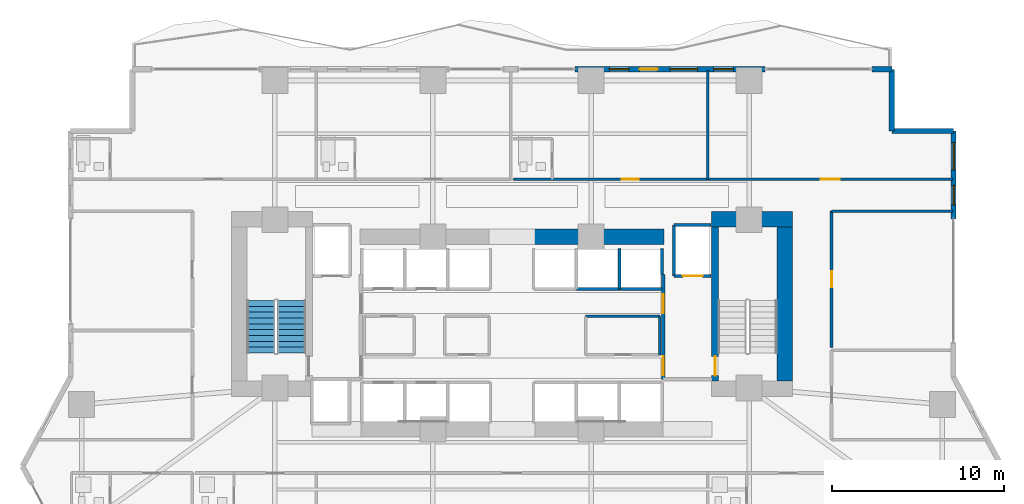
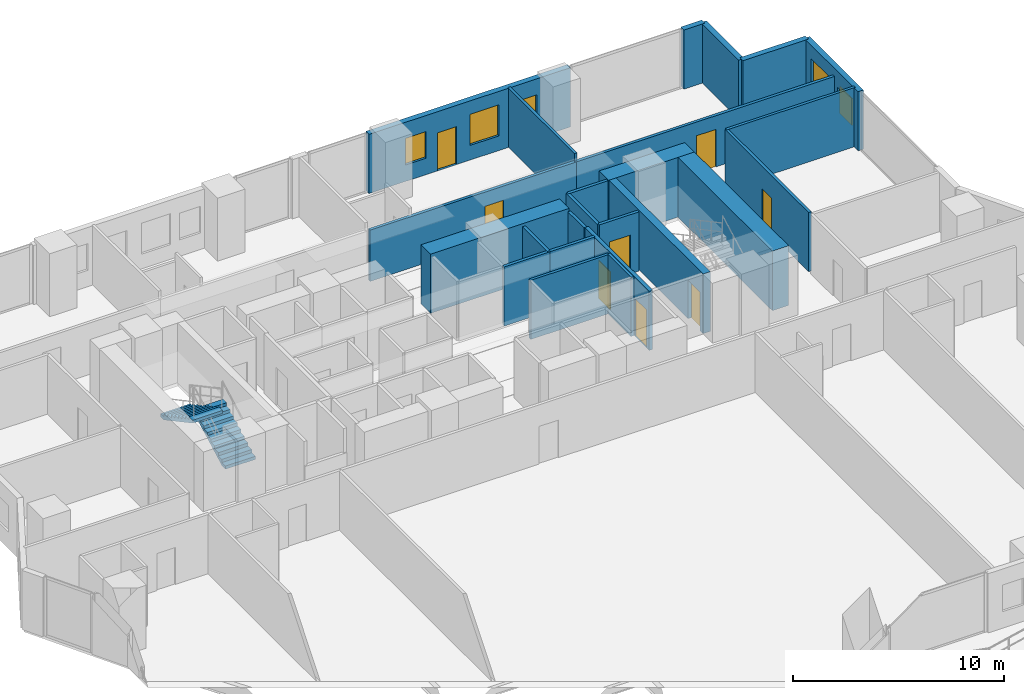
# One storey, part 22 of 28: 24 walls, 8 doors, 5 windows, 2 stair flights, 13 openings, 1 element without a shape of its own.
"""IFC4 building model written with IfcOpenShell, lengths in metres."""

from ifc_helpers import new_model, si_unit, direction, frame, frame_2d, origin, place, context, subcontext, project, spatial, polyline, rectangle, outline, extrude, material, layer, layer_set, type_object, element, fill, aggregate, save


model = new_model("IFC4")

# Units and contexts
model_context = context("Model", 3, precision=1e-05, world=origin(), true_north=direction((0.0, 1.0)))
body_context = subcontext(model_context, "Body", "Model", "MODEL_VIEW")
ifc_project = project(units=[si_unit("LENGTHUNIT", "METRE"), si_unit("AREAUNIT", "SQUARE_METRE"), si_unit("VOLUMEUNIT", "CUBIC_METRE"), si_unit("PLANEANGLEUNIT", "RADIAN"), si_unit("MASSUNIT", "GRAM", prefix="KILO")], contexts=[model_context])

# Site, building, storey
site_placement = place(None, origin())
site = spatial("IfcSite", under=ifc_project, at=site_placement, CompositionType="ELEMENT")
building_placement = place(site_placement, origin())
building = spatial("IfcBuilding", under=site, at=building_placement, Name="Zuhayl Quay Hotel", CompositionType="ELEMENT")
storey_placement = place(building_placement, frame((0.0, 0.0, 71.39990234375)))
storey = spatial("IfcBuildingStorey", under=building, at=storey_placement, Name="L17", CompositionType="ELEMENT", Elevation=71.39990234375)

# Walls
ifc_material_1 = material(Name="Concrete C70/85", Category="concrete")
ifc_layer_1 = layer(ifc_material_1, 0.89990234375, Name="Concrete C70/85", Category="concrete")
ifc_layer_set_1 = layer_set([ifc_layer_1], Name="Concrete C70/85")
wall_type_1 = type_object("IfcWallType", Name="WL_CORE_900", PredefinedType="SHEAR", material=ifc_layer_set_1)
wall_1_placement = place(storey_placement, frame((11.60009765625, 14.3798828125, 0.0), z_axis=(0.0, 0.0, 1.0), x_axis=(1.0, 0.0, 0.0)))
element("IfcWall", 1, at=wall_1_placement, inside=storey, type_object=wall_type_1, Name="L17 Core Shear Wall CW_NE", PredefinedType="SHEAR", context=body_context, shape_type="SweptSolid", body=[
    extrude(rectangle(XDim=4.7099609375, YDim=0.89990234375, at=frame_2d((2.35498046875, 0.0))), origin(), (0.0, 0.0, 1.0), 3.460205078125),
])
wall_2_placement = place(storey_placement, frame((15.860107421875, 4.969970703125, 0.0), z_axis=(0.0, 0.0, 1.0), x_axis=(0.0, 1.0, 0.0)))
element("IfcWall", 2, at=wall_2_placement, inside=storey, type_object=wall_type_1, Name="L17 Core Shear Wall CW_E", PredefinedType="SHEAR", context=body_context, shape_type="SweptSolid", body=[
    extrude(rectangle(XDim=8.9599609375, YDim=0.89990234375, at=frame_2d((4.47998046875, 0.0))), origin(), (0.0, 0.0, 1.0), 3.460205078125),
])
wall_3_placement = place(storey_placement, frame((1.25, 13.35009765625, 0.0), z_axis=(0.0, 0.0, 1.0), x_axis=(1.0, 0.0, 0.0)))
element("IfcWall", 3, at=wall_3_placement, inside=storey, type_object=wall_type_1, Name="L17 Core Shear Wall CW_NC_E", PredefinedType="SHEAR", context=body_context, shape_type="SweptSolid", body=[
    extrude(rectangle(XDim=7.60009765625, YDim=0.89990234375, at=frame_2d((3.800048828125, 0.0))), origin(), (0.0, 0.0, 1.0), 3.43017578125),
])

# Wall, openings, door, windows
ifc_material_2 = material(Name="Precast concrete C45/55", Category="concrete")
ifc_layer_2 = layer(ifc_material_2, 0.300048828125, Name="Precast concrete C45/55", Category="concrete")
ifc_layer_set_2 = layer_set([ifc_layer_2], Name="Precast concrete C45/55")
wall_type_2 = type_object("IfcWallType", Name="WL_EXT_300", PredefinedType="STANDARD", material=ifc_layer_set_2)
wall_4_placement = place(storey_placement, frame((3.679931640625, 23.10009765625, 0.0), z_axis=(0.0, 0.0, 1.0), x_axis=(1.0, 0.0, 0.0)))
wall_4 = element("IfcWall", 4, at=wall_4_placement, inside=storey, type_object=wall_type_2, Name="L17 Exterior Precast Wall ENV_L17_N_EW4", PredefinedType="STANDARD", context=body_context, shape_type="SweptSolid", body=[
    extrude(rectangle(XDim=11.0400390625, YDim=0.300048828125, at=frame_2d((5.52001953125, 0.0))), origin(), (0.0, 0.0, 1.0), 3.43017578125),
])
opening_1_placement = place(wall_4_placement, frame((3.7509765625, 0.0, 0.0)))
opening_1 = element("IfcOpeningElement", 5, at=opening_1_placement, cuts=wall_4, Name="Opening DG1", PredefinedType="OPENING", context=body_context, shape_type="SweptSolid", body=[
    extrude(rectangle(XDim=1.050048828125, YDim=2.199951171875, at=frame_2d((0.52490234375, 1.10009765625))), frame((0.0, 0.159912109375, 0.0), z_axis=(0.0, -1.0, 0.0), x_axis=(1.0, 0.0, 0.0)), (0.0, 0.0, 1.0), 0.320068359375),
])
opening_2_placement = place(wall_4_placement, frame((1.985595703125, 0.0, 0.949951171875)))
opening_2 = element("IfcOpeningElement", 6, at=opening_2_placement, cuts=wall_4, Name="Opening W01N", PredefinedType="OPENING", context=body_context, shape_type="SweptSolid", body=[
    extrude(rectangle(XDim=1.14990234375, YDim=1.550048828125, at=frame_2d((0.574951171875, 0.77490234375))), frame((0.0, 0.159912109375, 0.0), z_axis=(0.0, -1.0, 0.0), x_axis=(1.0, 0.0, 0.0)), (0.0, 0.0, 1.0), 0.320068359375),
])
opening_3_placement = place(wall_4_placement, frame((5.525390625, 0.0, 0.85009765625)))
opening_3 = element("IfcOpeningElement", 7, at=opening_3_placement, cuts=wall_4, Name="Opening W01", PredefinedType="OPENING", context=body_context, shape_type="SweptSolid", body=[
    extrude(rectangle(XDim=1.60009765625, YDim=1.800048828125, at=frame_2d((0.800048828125, 0.89990234375))), frame((0.0, 0.159912109375, 0.0), z_axis=(0.0, -1.0, 0.0), x_axis=(1.0, 0.0, 0.0)), (0.0, 0.0, 1.0), 0.320068359375),
])
opening_4_placement = place(wall_4_placement, frame((8.054931640625, 0.0, 0.949951171875)))
opening_4 = element("IfcOpeningElement", 8, at=opening_4_placement, cuts=wall_4, Name="Opening W01N", PredefinedType="OPENING", context=body_context, shape_type="SweptSolid", body=[
    extrude(rectangle(XDim=1.14990234375, YDim=1.550048828125, at=frame_2d((0.574951171875, 0.77490234375))), frame((0.0, 0.159912109375, 0.0), z_axis=(0.0, -1.0, 0.0), x_axis=(1.0, 0.0, 0.0)), (0.0, 0.0, 1.0), 0.320068359375),
])
ifc_material_3 = material(Name="Anodised Aluminium and Dark Solar Glass", Category="aluminium")
door_type_1 = type_object("IfcDoorType", Name="DR_EXT_TERR_1050", OperationType="NOTDEFINED", PredefinedType="DOOR", material=ifc_material_3)
door_1_placement = place(opening_1_placement, origin())
door_1 = element("IfcDoor", 9, at=door_1_placement, inside=storey, type_object=door_type_1, Name="L17 North Rippling Balcony Door", OperationType="SINGLE_SWING_LEFT", OverallHeight=2.199951171875, OverallWidth=1.050048828125, PredefinedType="DOOR", context=body_context, shape_type="SweptSolid", body=[
    extrude(rectangle(XDim=1.050048828125, YDim=2.199951171875, at=frame_2d((0.52490234375, 1.10009765625))), frame((0.0, 0.02490234375, 0.0), z_axis=(0.0, -1.0, 0.0), x_axis=(1.0, 0.0, 0.0)), (0.0, 0.0, 1.0), 0.050048828125),
])
fill(opening_1, door_1)
ifc_material_4 = material(Name="Dark Ceramic-Fritted Solar Glass", Category="glass")
window_type_1 = type_object("IfcWindowType", Name="WN_NOTCH_1350", PartitioningType="SINGLE_PANEL", PredefinedType="WINDOW", material=ifc_material_4)
window_1_placement = place(opening_2_placement, origin())
window_1 = element("IfcWindow", 10, at=window_1_placement, inside=storey, type_object=window_type_1, Name="L17 Operable Facade Window 4-1", OverallHeight=1.550048828125, OverallWidth=1.14990234375, PartitioningType="SINGLE_PANEL", PredefinedType="WINDOW", context=body_context, shape_type="SweptSolid", body=[
    extrude(rectangle(XDim=1.14990234375, YDim=1.550048828125, at=frame_2d((0.574951171875, 0.77490234375))), frame((0.0, 0.030029296875, 0.0), z_axis=(0.0, -1.0, 0.0), x_axis=(1.0, 0.0, 0.0)), (0.0, 0.0, 1.0), 0.06005859375),
])
fill(opening_2, window_1)
window_2_placement = place(opening_4_placement, origin())
window_2 = element("IfcWindow", 11, at=window_2_placement, inside=storey, type_object=window_type_1, Name="L17 Operable Facade Window 4-3", OverallHeight=1.550048828125, OverallWidth=1.14990234375, PartitioningType="SINGLE_PANEL", PredefinedType="WINDOW", context=body_context, shape_type="SweptSolid", body=[
    extrude(rectangle(XDim=1.14990234375, YDim=1.550048828125, at=frame_2d((0.574951171875, 0.77490234375))), frame((0.0, 0.030029296875, 0.0), z_axis=(0.0, -1.0, 0.0), x_axis=(1.0, 0.0, 0.0)), (0.0, 0.0, 1.0), 0.06005859375),
])
fill(opening_4, window_2)
window_type_2 = type_object("IfcWindowType", Name="WN_OPERABLE_1600", PartitioningType="DOUBLE_PANEL_VERTICAL", PredefinedType="WINDOW", material=ifc_material_4)
window_3_placement = place(opening_3_placement, origin())
window_3 = element("IfcWindow", 12, at=window_3_placement, inside=storey, type_object=window_type_2, Name="L17 Operable Facade Window 4-2", OverallHeight=1.800048828125, OverallWidth=1.60009765625, PartitioningType="SINGLE_PANEL", PredefinedType="WINDOW", context=body_context, shape_type="SweptSolid", body=[
    extrude(rectangle(XDim=1.60009765625, YDim=1.800048828125, at=frame_2d((0.800048828125, 0.89990234375))), frame((0.0, 0.030029296875, 0.0), z_axis=(0.0, -1.0, 0.0), x_axis=(1.0, 0.0, 0.0)), (0.0, 0.0, 1.0), 0.06005859375),
])
fill(opening_3, window_3)

# Walls
wall_5_placement = place(storey_placement, frame((20.949951171875, 23.10009765625, 0.0), z_axis=(0.0, 0.0, 1.0), x_axis=(1.0, 0.0, 0.0)))
element("IfcWall", 13, at=wall_5_placement, inside=storey, type_object=wall_type_2, Name="L17 Exterior Precast Wall ENV_L17_N_EW5", PredefinedType="STANDARD", context=body_context, shape_type="SweptSolid", body=[
    extrude(rectangle(XDim=1.150146484375, YDim=0.300048828125, at=frame_2d((0.5751953125, 0.0))), origin(), (0.0, 0.0, 1.0), 3.43017578125),
])
wall_6_placement = place(storey_placement, frame((22.10009765625, 23.10009765625, 0.0), z_axis=(0.0, 0.0, 1.0), x_axis=(0.0, -1.0, 0.0)))
element("IfcWall", 14, at=wall_6_placement, inside=storey, type_object=wall_type_2, Name="L17 Exterior Precast Wall ENV_L17_EW09", PredefinedType="STANDARD", context=body_context, shape_type="SweptSolid", body=[
    extrude(rectangle(XDim=3.60009765625, YDim=0.300048828125, at=frame_2d((1.800048828125, 0.0))), origin(), (0.0, 0.0, 1.0), 3.43017578125),
])
wall_7_placement = place(storey_placement, frame((22.10009765625, 19.5, 0.0), z_axis=(0.0, 0.0, 1.0), x_axis=(1.0, 0.0, 0.0)))
element("IfcWall", 15, at=wall_7_placement, inside=storey, type_object=wall_type_2, Name="L17 Exterior Precast Wall ENV_L17_EW10", PredefinedType="STANDARD", context=body_context, shape_type="SweptSolid", body=[
    extrude(rectangle(XDim=3.599853515625, YDim=0.300048828125, at=frame_2d((1.7998046875, 0.0))), origin(), (0.0, 0.0, 1.0), 3.43017578125),
])

# Wall, openings, windows
wall_8_placement = place(storey_placement, frame((25.699951171875, 19.5, 0.0), z_axis=(0.0, 0.0, 1.0), x_axis=(0.0, -1.0, 0.0)))
wall_8 = element("IfcWall", 16, at=wall_8_placement, inside=storey, type_object=wall_type_2, Name="L17 Exterior Precast Wall ENV_L17_E11_EW1", PredefinedType="STANDARD", context=body_context, shape_type="SweptSolid", body=[
    extrude(rectangle(XDim=5.10009765625, YDim=0.300048828125, at=frame_2d((2.550048828125, 0.0))), origin(), (0.0, 0.0, 1.0), 3.43017578125),
])
opening_5_placement = place(wall_8_placement, frame((0.659912109375, 0.0, 0.85009765625)))
opening_5 = element("IfcOpeningElement", 17, at=opening_5_placement, cuts=wall_8, Name="Opening W01", PredefinedType="OPENING", context=body_context, shape_type="SweptSolid", body=[
    extrude(rectangle(XDim=1.60009765625, YDim=1.800048828125, at=frame_2d((0.800048828125, 0.89990234375))), frame((0.0, 0.159912109375, 0.0), z_axis=(0.0, -1.0, 0.0), x_axis=(1.0, 0.0, 0.0)), (0.0, 0.0, 1.0), 0.320068359375),
])
opening_6_placement = place(wall_8_placement, frame((3.14990234375, 0.0, 0.949951171875)))
opening_6 = element("IfcOpeningElement", 18, at=opening_6_placement, cuts=wall_8, Name="Opening W01N", PredefinedType="OPENING", context=body_context, shape_type="SweptSolid", body=[
    extrude(rectangle(XDim=1.14990234375, YDim=1.550048828125, at=frame_2d((0.574951171875, 0.77490234375))), frame((0.0, 0.159912109375, 0.0), z_axis=(0.0, -1.0, 0.0), x_axis=(1.0, 0.0, 0.0)), (0.0, 0.0, 1.0), 0.320068359375),
])
window_4_placement = place(opening_6_placement, origin())
window_4 = element("IfcWindow", 19, at=window_4_placement, inside=storey, type_object=window_type_1, Name="L17 Operable Facade Window 1-2", OverallHeight=1.550048828125, OverallWidth=1.14990234375, PartitioningType="SINGLE_PANEL", PredefinedType="WINDOW", context=body_context, shape_type="SweptSolid", body=[
    extrude(rectangle(XDim=1.14990234375, YDim=1.550048828125, at=frame_2d((0.574951171875, 0.77490234375))), frame((0.0, 0.030029296875, 0.0), z_axis=(0.0, -1.0, 0.0), x_axis=(1.0, 0.0, 0.0)), (0.0, 0.0, 1.0), 0.06005859375),
])
fill(opening_6, window_4)
window_5_placement = place(opening_5_placement, origin())
window_5 = element("IfcWindow", 20, at=window_5_placement, inside=storey, type_object=window_type_2, Name="L17 Operable Facade Window 1-1", OverallHeight=1.800048828125, OverallWidth=1.60009765625, PartitioningType="SINGLE_PANEL", PredefinedType="WINDOW", context=body_context, shape_type="SweptSolid", body=[
    extrude(rectangle(XDim=1.60009765625, YDim=1.800048828125, at=frame_2d((0.800048828125, 0.89990234375))), frame((0.0, 0.030029296875, 0.0), z_axis=(0.0, -1.0, 0.0), x_axis=(1.0, 0.0, 0.0)), (0.0, 0.0, 1.0), 0.06005859375),
])
fill(opening_5, window_5)

# Walls
ifc_material_5 = material(Name="Acoustic Gypsum Partition STC-58")
ifc_layer_3 = layer(ifc_material_5, 0.14990234375, Name="Acoustic Gypsum Partition STC-58")
ifc_layer_set_3 = layer_set([ifc_layer_3], Name="Acoustic Gypsum Partition STC-58")
wall_type_3 = type_object("IfcWallType", Name="WL_PART_150", PredefinedType="PARTITIONING", material=ifc_layer_set_3)
wall_9_placement = place(storey_placement, frame((4.2900390625, 8.719970703125, 0.0), z_axis=(0.0, 0.0, 1.0), x_axis=(1.0, 0.0, 0.0)))
element("IfcWall", 21, at=wall_9_placement, inside=storey, type_object=wall_type_3, Name="L17 Partition IW_L17_CORE_VL_N", PredefinedType="PARTITIONING", context=body_context, shape_type="SweptSolid", body=[
    extrude(rectangle(XDim=4.320068359375, YDim=0.14990234375, at=frame_2d((2.16015625, 0.0))), origin(), (0.0, 0.0, 1.0), 3.43017578125),
])
wall_10_placement = place(storey_placement, frame((8.610107421875, 6.47998046875, 0.0), z_axis=(0.0, 0.0, 1.0), x_axis=(0.0, 1.0, 0.0)))
element("IfcWall", 22, at=wall_10_placement, inside=storey, type_object=wall_type_3, Name="L17 Partition IW_L17_CORE_VL_E", PredefinedType="PARTITIONING", context=body_context, shape_type="SweptSolid", body=[
    extrude(rectangle(XDim=2.239990234375, YDim=0.14990234375, at=frame_2d((1.1201171875, 0.0))), origin(), (0.0, 0.0, 1.0), 3.43017578125),
])
wall_11_placement = place(storey_placement, frame((11.39990234375, 16.699951171875, 0.0), z_axis=(0.0, 0.0, 1.0), x_axis=(0.0, 1.0, 0.0)))
element("IfcWall", 23, at=wall_11_placement, inside=storey, type_object=wall_type_3, Name="L17 Partition IW_L17_NU02B_E", PredefinedType="PARTITIONING", context=body_context, shape_type="SweptSolid", body=[
    extrude(rectangle(XDim=6.320068359375, YDim=0.14990234375, at=frame_2d((3.16015625, 0.0))), origin(), (0.0, 0.0, 1.0), 3.43017578125),
])
wall_12_placement = place(storey_placement, frame((18.60009765625, 14.85009765625, 0.0), z_axis=(0.0, 0.0, 1.0), x_axis=(1.0, 0.0, 0.0)))
element("IfcWall", 24, at=wall_12_placement, inside=storey, type_object=wall_type_3, Name="L17 Partition IW_L17_EFLK_2_N", PredefinedType="PARTITIONING", context=body_context, shape_type="SweptSolid", body=[
    extrude(rectangle(XDim=7.039794921875, YDim=0.14990234375, at=frame_2d((3.52001953125, 0.0))), origin(), (0.0, 0.0, 1.0), 3.43017578125),
])

# Wall, opening, door
ifc_layer_4 = layer(ifc_material_5, 0.159912109375, Name="Acoustic Gypsum Partition STC-58")
ifc_layer_set_4 = layer_set([ifc_layer_4], Name="Acoustic Gypsum Partition STC-58")
wall_type_4 = type_object("IfcWallType", Name="WL_PART_CORR_160", PredefinedType="PARTITIONING", material=ifc_layer_set_4)
wall_13_placement = place(storey_placement, frame((0.080078125, 16.699951171875, 0.0), z_axis=(0.0, 0.0, 1.0), x_axis=(1.0, 0.0, 0.0)))
wall_13 = element("IfcWall", 25, at=wall_13_placement, inside=storey, type_object=wall_type_4, Name="L17 Partition IW_L17_NU02B_COR", PredefinedType="PARTITIONING", context=body_context, shape_type="SweptSolid", body=[
    extrude(rectangle(XDim=11.31982421875, YDim=0.159912109375, at=frame_2d((5.659912109375, 0.0))), origin(), (0.0, 0.0, 1.0), 2.97314453125),
])
opening_7_placement = place(wall_13_placement, frame((6.31005859375, 0.0, 0.0)))
opening_7 = element("IfcOpeningElement", 26, at=opening_7_placement, cuts=wall_13, Name="Opening D03L", PredefinedType="OPENING", context=body_context, shape_type="SweptSolid", body=[
    extrude(rectangle(XDim=1.0, YDim=2.14990234375, at=frame_2d((0.5, 1.074951171875))), frame((0.0, 0.08984375, 0.0), z_axis=(0.0, -1.0, 0.0), x_axis=(1.0, 0.0, 0.0)), (0.0, 0.0, 1.0), 0.179931640625),
])
ifc_material_6 = material(Name="Solid Walnut Acoustic Fire Door")
door_type_2 = type_object("IfcDoorType", Name="DR_SUITE_1000", OperationType="NOTDEFINED", PredefinedType="DOOR", material=ifc_material_6)
door_2_placement = place(opening_7_placement, origin())
door_2 = element("IfcDoor", 27, at=door_2_placement, inside=storey, type_object=door_type_2, Name="L17 Deluxe Gulf Guest Room L17-02B Entrance Door", OperationType="SINGLE_SWING_RIGHT", OverallHeight=2.14990234375, OverallWidth=1.0, PredefinedType="DOOR", context=body_context, shape_type="SweptSolid", body=[
    extrude(rectangle(XDim=1.0, YDim=2.14990234375, at=frame_2d((0.5, 1.074951171875))), frame((0.0, 0.02490234375, 0.0), z_axis=(0.0, -1.0, 0.0), x_axis=(1.0, 0.0, 0.0)), (0.0, 0.0, 1.0), 0.050048828125),
])
fill(opening_7, door_2)

wall_14_placement = place(storey_placement, frame((11.39990234375, 16.699951171875, 0.0), z_axis=(0.0, 0.0, 1.0), x_axis=(1.0, 0.0, 0.0)))
wall_14 = element("IfcWall", 28, at=wall_14_placement, inside=storey, type_object=wall_type_4, Name="L17 Partition IW_L17_NSAL_2_S", PredefinedType="PARTITIONING", context=body_context, shape_type="SweptSolid", body=[
    extrude(rectangle(XDim=14.239990234375, YDim=0.159912109375, at=frame_2d((7.1201171875, 0.0))), origin(), (0.0, 0.0, 1.0), 2.97314453125),
])
opening_8_placement = place(wall_14_placement, frame((6.580078125, 0.0, 0.0)))
opening_8 = element("IfcOpeningElement", 29, at=opening_8_placement, cuts=wall_14, Name="Opening D05A", PredefinedType="OPENING", context=body_context, shape_type="SweptSolid", body=[
    extrude(rectangle(XDim=1.080078125, YDim=2.179931640625, at=frame_2d((0.5400390625, 1.08984375))), frame((0.0, 0.08984375, 0.0), z_axis=(0.0, -1.0, 0.0), x_axis=(1.0, 0.0, 0.0)), (0.0, 0.0, 1.0), 0.179931640625),
])
door_type_3 = type_object("IfcDoorType", Name="DR_INT_1100", OperationType="NOTDEFINED", PredefinedType="DOOR", material=ifc_material_6)
door_3_placement = place(opening_8_placement, origin())
door_3 = element("IfcDoor", 30, at=door_3_placement, inside=storey, type_object=door_type_3, Name="L17 Terrace Tea Salon Door", OperationType="SINGLE_SWING_LEFT", OverallHeight=2.179931640625, OverallWidth=1.080078125, PredefinedType="DOOR", context=body_context, shape_type="SweptSolid", body=[
    extrude(rectangle(XDim=1.080078125, YDim=2.179931640625, at=frame_2d((0.5400390625, 1.08984375))), frame((0.0, 0.02490234375, 0.0), z_axis=(0.0, -1.0, 0.0), x_axis=(1.0, 0.0, 0.0)), (0.0, 0.0, 1.0), 0.050048828125),
])
fill(opening_8, door_3)

wall_15_placement = place(storey_placement, frame((18.60009765625, 6.909912109375, 0.0), z_axis=(0.0, 0.0, 1.0), x_axis=(0.0, 1.0, 0.0)))
wall_15 = element("IfcWall", 31, at=wall_15_placement, inside=storey, type_object=wall_type_4, Name="L17 Partition IW_L17_EFLK_2_W", PredefinedType="PARTITIONING", context=body_context, shape_type="SweptSolid", body=[
    extrude(rectangle(XDim=7.940185546875, YDim=0.159912109375, at=frame_2d((3.97021484375, 0.0))), origin(), (0.0, 0.0, 1.0), 3.43017578125),
])
opening_9_placement = place(wall_15_placement, frame((3.510009765625, 0.0, 0.0)))
opening_9 = element("IfcOpeningElement", 32, at=opening_9_placement, cuts=wall_15, Name="Opening D05", PredefinedType="OPENING", context=body_context, shape_type="SweptSolid", body=[
    extrude(rectangle(XDim=0.919921875, YDim=2.1201171875, at=frame_2d((0.4599609375, 1.06005859375))), frame((0.0, 0.08984375, 0.0), z_axis=(0.0, -1.0, 0.0), x_axis=(1.0, 0.0, 0.0)), (0.0, 0.0, 1.0), 0.179931640625),
])
door_type_4 = type_object("IfcDoorType", Name="DR_INT_950", OperationType="NOTDEFINED", PredefinedType="DOOR", material=ifc_material_6)
door_4_placement = place(opening_9_placement, origin())
door_4 = element("IfcDoor", 33, at=door_4_placement, inside=storey, type_object=door_type_4, Name="L17 East Prow Reading Lounge L17 Door", OperationType="SINGLE_SWING_RIGHT", OverallHeight=2.1201171875, OverallWidth=0.919921875, PredefinedType="DOOR", context=body_context, shape_type="SweptSolid", body=[
    extrude(rectangle(XDim=0.919921875, YDim=2.1201171875, at=frame_2d((0.4599609375, 1.06005859375))), frame((0.0, 0.02490234375, 0.0), z_axis=(0.0, -1.0, 0.0), x_axis=(1.0, 0.0, 0.0)), (0.0, 0.0, 1.0), 0.050048828125),
])
fill(opening_9, door_4)

ifc_material_7 = material(Name="Gypsum Fireboard Assembly EI-90")
ifc_layer_5 = layer(ifc_material_7, 0.1650390625, Name="Gypsum Fireboard Assembly EI-90")
ifc_layer_set_5 = layer_set([ifc_layer_5], Name="Gypsum Fireboard Assembly EI-90")
wall_type_5 = type_object("IfcWallType", Name="WL_PART_SHAFT_160", PredefinedType="PARTITIONING", material=ifc_layer_set_5)
wall_16_placement = place(storey_placement, frame((9.419921875, 11.070068359375, 0.0), z_axis=(0.0, 0.0, 1.0), x_axis=(1.0, 0.0, 0.0)))
wall_16 = element("IfcWall", 34, at=wall_16_placement, inside=storey, type_object=wall_type_5, Name="L17 Partition IW_L17_SH_FL2_F", PredefinedType="PARTITIONING", context=body_context, shape_type="SweptSolid", body=[
    extrude(rectangle(XDim=2.16015625, YDim=0.1650390625, at=frame_2d((1.080078125, 0.0))), origin(), (0.0, 0.0, 1.0), 3.43017578125),
])
opening_10_placement = place(wall_16_placement, frame((0.530029296875, 0.0, 0.0)))
opening_10 = element("IfcOpeningElement", 35, at=opening_10_placement, cuts=wall_16, Name="Opening LD2", PredefinedType="OPENING", context=body_context, shape_type="SweptSolid", body=[
    extrude(rectangle(XDim=1.14990234375, YDim=2.25, at=frame_2d((0.574951171875, 1.125))), frame((0.0, 0.092529296875, 0.0), z_axis=(0.0, -1.0, 0.0), x_axis=(1.0, 0.0, 0.0)), (0.0, 0.0, 1.0), 0.18505859375),
])
ifc_material_8 = material(Name="Brushed Stainless Steel", Category="steel")
door_type_5 = type_object("IfcDoorType", Name="DR_LIFT_FF_1100", OperationType="SLIDING_TO_LEFT", PredefinedType="DOOR", material=ifc_material_8)
door_5_placement = place(opening_10_placement, origin())
door_5 = element("IfcDoor", 36, at=door_5_placement, inside=storey, type_object=door_type_5, Name="L17 Lift FL2 Sliding Landing Door", OperationType="SLIDING_TO_LEFT", OverallHeight=2.25, OverallWidth=1.14990234375, PredefinedType="DOOR", context=body_context, shape_type="SweptSolid", body=[
    extrude(rectangle(XDim=1.14990234375, YDim=2.25, at=frame_2d((0.574951171875, 1.125))), frame((0.0, 0.02490234375, 0.0), z_axis=(0.0, -1.0, 0.0), x_axis=(1.0, 0.0, 0.0)), (0.0, 0.0, 1.0), 0.050048828125),
])
fill(opening_10, door_5)

# Walls
wall_17_placement = place(storey_placement, frame((9.419921875, 11.070068359375, 0.0), z_axis=(0.0, 0.0, 1.0), x_axis=(0.0, 1.0, 0.0)))
element("IfcWall", 37, at=wall_17_placement, inside=storey, type_object=wall_type_5, Name="L17 Partition IW_L17_SH_FL2_W", PredefinedType="PARTITIONING", context=body_context, shape_type="SweptSolid", body=[
    extrude(rectangle(XDim=2.9599609375, YDim=0.1650390625, at=frame_2d((1.47998046875, 0.0))), origin(), (0.0, 0.0, 1.0), 3.43017578125),
])
wall_18_placement = place(storey_placement, frame((9.419921875, 14.030029296875, 0.0), z_axis=(0.0, 0.0, 1.0), x_axis=(1.0, 0.0, 0.0)))
element("IfcWall", 38, at=wall_18_placement, inside=storey, type_object=wall_type_5, Name="L17 Partition IW_L17_SH_FL2_B", PredefinedType="PARTITIONING", context=body_context, shape_type="SweptSolid", body=[
    extrude(rectangle(XDim=2.16015625, YDim=0.1650390625, at=frame_2d((1.080078125, 0.0))), origin(), (0.0, 0.0, 1.0), 3.43017578125),
])
wall_19_placement = place(storey_placement, frame((3.75, 10.320068359375, 0.0), z_axis=(0.0, 0.0, 1.0), x_axis=(1.0, 0.0, 0.0)))
element("IfcWall", 39, at=wall_19_placement, inside=storey, type_object=wall_type_5, Name="L17 Partition IW_L17_SH_HP3_F", PredefinedType="PARTITIONING", context=body_context, shape_type="SweptSolid", body=[
    extrude(rectangle(XDim=2.5, YDim=0.1650390625, at=frame_2d((1.25, 0.0))), origin(), (0.0, 0.0, 1.0), 3.43017578125),
])
wall_20_placement = place(storey_placement, frame((6.25, 10.320068359375, 0.0), z_axis=(0.0, 0.0, 1.0), x_axis=(0.0, 1.0, 0.0)))
element("IfcWall", 40, at=wall_20_placement, inside=storey, type_object=wall_type_5, Name="L17 Partition IW_L17_SH_HP3_E", PredefinedType="PARTITIONING", context=body_context, shape_type="SweptSolid", body=[
    extrude(rectangle(XDim=2.35986328125, YDim=0.1650390625, at=frame_2d((1.179931640625, 0.0))), origin(), (0.0, 0.0, 1.0), 3.43017578125),
])
wall_21_placement = place(storey_placement, frame((6.25, 10.320068359375, 0.0), z_axis=(0.0, 0.0, 1.0), x_axis=(1.0, 0.0, 0.0)))
element("IfcWall", 41, at=wall_21_placement, inside=storey, type_object=wall_type_5, Name="L17 Partition IW_L17_SH_HP4_F", PredefinedType="PARTITIONING", context=body_context, shape_type="SweptSolid", body=[
    extrude(rectangle(XDim=2.47998046875, YDim=0.1650390625, at=frame_2d((1.239990234375, 0.0))), origin(), (0.0, 0.0, 1.0), 3.43017578125),
])
wall_22_placement = place(storey_placement, frame((8.72998046875, 11.14990234375, 0.0), z_axis=(0.0, 0.0, 1.0), x_axis=(0.0, 1.0, 0.0)))
element("IfcWall", 42, at=wall_22_placement, inside=storey, type_object=wall_type_5, Name="L17 Partition IW_L17_SH_HP4_E", PredefinedType="PARTITIONING", context=body_context, shape_type="SweptSolid", body=[
    extrude(rectangle(XDim=1.530029296875, YDim=0.1650390625, at=frame_2d((0.76513671875, 0.0))), origin(), (0.0, 0.0, 1.0), 3.43017578125),
])

# Wall, openings, doors
ifc_material_9 = material(Name="Gypsum Fireboard Assembly EI-120")
ifc_layer_6 = layer(ifc_material_9, 0.199951171875, Name="Gypsum Fireboard Assembly EI-120")
ifc_layer_set_6 = layer_set([ifc_layer_6], Name="Gypsum Fireboard Assembly EI-120")
wall_type_6 = type_object("IfcWallType", Name="WL_PART_SHAFT_200", PredefinedType="PARTITIONING", material=ifc_layer_set_6)
wall_23_placement = place(storey_placement, frame((8.800048828125, 11.14990234375, 0.0), z_axis=(0.0, 0.0, 1.0), x_axis=(0.0, -1.0, 0.0)))
wall_23 = element("IfcWall", 43, at=wall_23_placement, inside=storey, type_object=wall_type_6, Name="L17 Partition IW_L17_FSAE_E_W", PredefinedType="PARTITIONING", context=body_context, shape_type="SweptSolid", body=[
    extrude(rectangle(XDim=6.099853515625, YDim=0.199951171875, at=frame_2d((3.0498046875, 0.0))), origin(), (0.0, 0.0, 1.0), 3.43017578125),
])
opening_11_placement = place(wall_23_placement, frame((1.14990234375, 0.0, 0.0)))
opening_11 = element("IfcOpeningElement", 44, at=opening_11_placement, cuts=wall_23, Name="Opening D02", PredefinedType="OPENING", context=body_context, shape_type="SweptSolid", body=[
    extrude(rectangle(XDim=1.10009765625, YDim=2.199951171875, at=frame_2d((0.550048828125, 1.10009765625))), frame((0.0, 0.10986328125, 0.0), z_axis=(0.0, -1.0, 0.0), x_axis=(1.0, 0.0, 0.0)), (0.0, 0.0, 1.0), 0.219970703125),
])
opening_12_placement = place(wall_23_placement, frame((4.75, 0.0, 0.0)))
opening_12 = element("IfcOpeningElement", 45, at=opening_12_placement, cuts=wall_23, Name="Opening D02", PredefinedType="OPENING", context=body_context, shape_type="SweptSolid", body=[
    extrude(rectangle(XDim=1.10009765625, YDim=2.199951171875, at=frame_2d((0.550048828125, 1.10009765625))), frame((0.0, 0.10986328125, 0.0), z_axis=(0.0, -1.0, 0.0), x_axis=(1.0, 0.0, 0.0)), (0.0, 0.0, 1.0), 0.219970703125),
])
ifc_material_10 = material(Name="Steel ASTM A992 Grade 50", Category="steel")
door_type_6 = type_object("IfcDoorType", Name="DR_FIRE_90_1100", OperationType="NOTDEFINED", PredefinedType="DOOR", material=ifc_material_10)
door_6_placement = place(opening_11_placement, origin())
door_6 = element("IfcDoor", 46, at=door_6_placement, inside=storey, type_object=door_type_6, Name="L17 FSAE Lobby East North Entry Door", OperationType="SINGLE_SWING_RIGHT", OverallHeight=2.199951171875, OverallWidth=1.10009765625, PredefinedType="DOOR", context=body_context, shape_type="SweptSolid", body=[
    extrude(rectangle(XDim=1.10009765625, YDim=2.199951171875, at=frame_2d((0.550048828125, 1.10009765625))), frame((0.0, 0.02490234375, 0.0), z_axis=(0.0, -1.0, 0.0), x_axis=(1.0, 0.0, 0.0)), (0.0, 0.0, 1.0), 0.050048828125),
])
fill(opening_11, door_6)
door_7_placement = place(opening_12_placement, origin())
door_7 = element("IfcDoor", 47, at=door_7_placement, inside=storey, type_object=door_type_6, Name="L17 FSAE Lobby East South Entry Door", OperationType="SINGLE_SWING_LEFT", OverallHeight=2.199951171875, OverallWidth=1.10009765625, PredefinedType="DOOR", context=body_context, shape_type="SweptSolid", body=[
    extrude(rectangle(XDim=1.10009765625, YDim=2.199951171875, at=frame_2d((0.550048828125, 1.10009765625))), frame((0.0, 0.02490234375, 0.0), z_axis=(0.0, -1.0, 0.0), x_axis=(1.0, 0.0, 0.0)), (0.0, 0.0, 1.0), 0.050048828125),
])
fill(opening_12, door_7)

# Wall, opening, door
ifc_material_11 = material(Name="Concrete C60/75", Category="concrete")
ifc_layer_7 = layer(ifc_material_11, 0.39990234375, Name="Concrete C60/75", Category="concrete")
ifc_layer_set_7 = layer_set([ifc_layer_7], Name="Concrete C60/75")
wall_type_7 = type_object("IfcWallType", Name="WL_STAIR_400", PredefinedType="SHEAR", material=ifc_layer_set_7)
wall_24_placement = place(storey_placement, frame((11.820068359375, 13.929931640625, 0.0), z_axis=(0.0, 0.0, 1.0), x_axis=(0.0, -1.0, 0.0)))
wall_24 = element("IfcWall", 48, at=wall_24_placement, inside=storey, type_object=wall_type_7, Name="L17 Core Shear Wall SW_ST2", PredefinedType="SHEAR", context=body_context, shape_type="SweptSolid", body=[
    extrude(rectangle(XDim=8.9599609375, YDim=0.39990234375, at=frame_2d((4.47998046875, 0.0))), origin(), (0.0, 0.0, 1.0), 3.460205078125),
])
opening_13_placement = place(wall_24_placement, frame((7.530029296875, 0.0, 0.0)))
opening_13 = element("IfcOpeningElement", 49, at=opening_13_placement, cuts=wall_24, Name="Opening D01", PredefinedType="OPENING", context=body_context, shape_type="SweptSolid", body=[
    extrude(rectangle(XDim=1.1201171875, YDim=2.219970703125, at=frame_2d((0.56005859375, 1.10986328125))), frame((0.0, 0.2099609375, 0.0), z_axis=(0.0, -1.0, 0.0), x_axis=(1.0, 0.0, 0.0)), (0.0, 0.0, 1.0), 0.419921875),
])
door_type_7 = type_object("IfcDoorType", Name="DR_STAIR_90_1100", OperationType="NOTDEFINED", PredefinedType="DOOR", material=ifc_material_10)
door_8_placement = place(opening_13_placement, origin())
door_8 = element("IfcDoor", 50, at=door_8_placement, inside=storey, type_object=door_type_7, Name="L17 Smokeproof Exit Stair ST2 Door", OperationType="SINGLE_SWING_RIGHT", OverallHeight=2.219970703125, OverallWidth=1.1201171875, PredefinedType="DOOR", context=body_context, shape_type="SweptSolid", body=[
    extrude(rectangle(XDim=1.1201171875, YDim=2.219970703125, at=frame_2d((0.56005859375, 1.10986328125))), frame((0.0, 0.02490234375, 0.0), z_axis=(0.0, -1.0, 0.0), x_axis=(1.0, 0.0, 0.0)), (0.0, 0.0, 1.0), 0.050048828125),
])
fill(opening_13, door_8)

# Stair, stair flights
ifc_material_12 = material(Name="Concrete C45/55", Category="concrete")
stair_type = type_object("IfcStairType", Name="ST_DOGLEG_TOWER", PredefinedType="HALF_TURN_STAIR", material=ifc_material_12)
stair_placement = place(storey_placement, origin())
stair = element("IfcStair", 51, at=stair_placement, inside=storey, type_object=stair_type, Name="L17 Smokeproof Exit Stair ST1", PredefinedType="HALF_TURN_STAIR")
ifc_layer_8 = layer(ifc_material_12, 0.159912109375, Name="Concrete C45/55", Category="concrete")
ifc_layer_set_8 = layer_set([ifc_layer_8], Name="Concrete C45/55")
stair_flight_type = type_object("IfcStairFlightType", Name="SF_CONC_164", PredefinedType="STRAIGHT", material=ifc_layer_set_8)
stair_flight_1_placement = place(storey_placement, frame((-12.820068359375, 6.590087890625, 0.0), z_axis=(0.0, 0.0, 1.0), x_axis=(0.0, 1.0, 0.0)))
stair_flight_1 = element("IfcStairFlight", 52, at=stair_flight_1_placement, type_object=stair_flight_type, Name="ST1 flight 1", NumberOfRisers=10, NumberOfTreads=9, PredefinedType="STRAIGHT", RiserHeight=0.1825, TreadLength=0.34, context=body_context, shape_type="SweptSolid", body=[
    extrude(outline(polyline([(0.0, 0.0), (0.0, 0.1826171875), (0.340087890625, 0.1826171875), (0.340087890625, 0.364990234375), (0.679931640625, 0.364990234375), (0.679931640625, 0.547607421875), (1.02001953125, 0.547607421875), (1.02001953125, 0.72998046875), (1.360107421875, 0.72998046875), (1.360107421875, 0.91259765625), (1.699951171875, 0.91259765625), (1.699951171875, 1.094970703125), (2.0400390625, 1.094970703125), (2.0400390625, 1.277587890625), (2.3798828125, 1.277587890625), (2.3798828125, 1.4599609375), (2.719970703125, 1.4599609375), (2.719970703125, 1.642578125), (3.06005859375, 1.642578125), (3.06005859375, 1.824951171875), (3.06005859375, 1.472412109375), (0.31689453125, 0.0), (0.0, 0.0)])), frame((0.0, 0.81982421875, 0.0), z_axis=(0.0, -1.0, 0.0), x_axis=(1.0, 0.0, 0.0)), (0.0, 0.0, 1.0), 1.639892578125),
])
stair_flight_2_placement = place(storey_placement, frame((-14.610107421875, 9.64990234375, 1.8251953125), z_axis=(0.0, 0.0, 1.0), x_axis=(0.0, -1.0, 0.0)))
stair_flight_2 = element("IfcStairFlight", 53, at=stair_flight_2_placement, type_object=stair_flight_type, Name="ST1 flight 2", NumberOfRisers=10, NumberOfTreads=9, PredefinedType="STRAIGHT", RiserHeight=0.1825, TreadLength=0.34, context=body_context, shape_type="SweptSolid", body=[
    extrude(outline(polyline([(0.0, 0.0), (0.0, 0.1826171875), (0.340087890625, 0.1826171875), (0.340087890625, 0.364990234375), (0.679931640625, 0.364990234375), (0.679931640625, 0.547607421875), (1.02001953125, 0.547607421875), (1.02001953125, 0.72998046875), (1.360107421875, 0.72998046875), (1.360107421875, 0.91259765625), (1.699951171875, 0.91259765625), (1.699951171875, 1.094970703125), (2.0400390625, 1.094970703125), (2.0400390625, 1.277587890625), (2.3798828125, 1.277587890625), (2.3798828125, 1.4599609375), (2.719970703125, 1.4599609375), (2.719970703125, 1.642578125), (3.06005859375, 1.642578125), (3.06005859375, 1.824951171875), (3.06005859375, 1.472412109375), (0.31689453125, 0.0), (0.0, 0.0)])), frame((0.0, 0.81982421875, 0.0), z_axis=(0.0, -1.0, 0.0), x_axis=(1.0, 0.0, 0.0)), (0.0, 0.0, 1.0), 1.639892578125),
])
aggregate(stair, [stair_flight_1, stair_flight_2])

save(model, "model.ifc")
